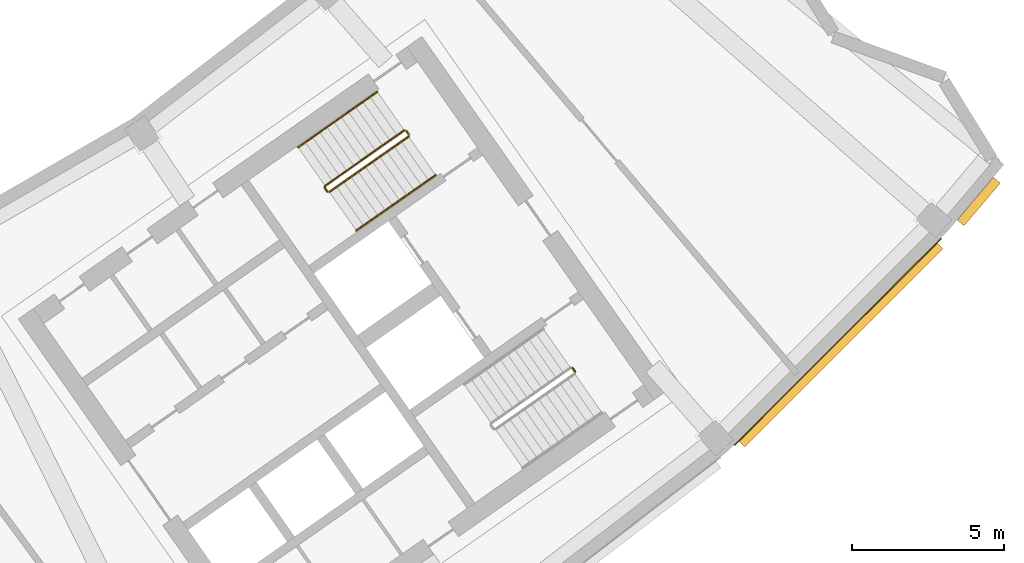
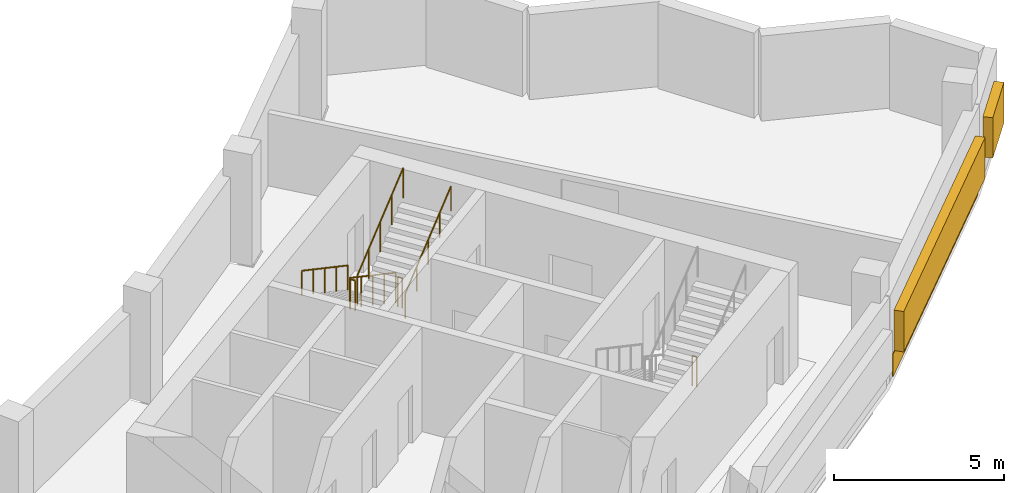
# One storey, part 12 of 12: 6 railings, 2 shading devices, 1 covering.
"""IFC4 building model written with IfcOpenShell, lengths in metres."""

import ifcopenshell
import ifcopenshell.guid

model = None  # the IFC model being written
_history = None  # IfcOwnerHistory: only IFC2X3 demands one
_inside = {}  # id of a spatial element -> (the spatial element, [elements in it])
_under = {}  # id of a project, library or spatial element -> (it, [spatial elements below it])
_declared = {}  # id of a project -> (the project, [libraries it declares])
_typed = {}  # id of a type object -> (the type object, [elements of that type])
_made_of = {}  # id of a material, layer set ... -> (it, [elements and type objects made of it])


def new_model(schema):
    """Start an empty IFC model of exactly this schema.

    Asked for "IFC4X3", IfcOpenShell would pick the latest addendum, in which some entities
    have other attributes; the version numbers below select the first issue.
    IFC2X3 requires an IfcOwnerHistory on every rooted entity: one is made here for all.
    """
    global model, _history
    if schema == "IFC4X3":
        model = ifcopenshell.file(schema_version=(4, 3, 0, 0))
    else:
        model = ifcopenshell.file(schema=schema)
    _inside.clear()
    _under.clear()
    _declared.clear()
    _typed.clear()
    _made_of.clear()
    _history = None
    if model.schema == "IFC2X3":
        org = make("IfcOrganization", Name="unknown")
        user = make(
            "IfcPersonAndOrganization",
            ThePerson=make("IfcPerson", FamilyName="unknown"),
            TheOrganization=org,
        )
        app = make(
            "IfcApplication",
            ApplicationDeveloper=org,
            Version="unknown",
            ApplicationFullName="unknown",
            ApplicationIdentifier="unknown",
        )
        _history = make(
            "IfcOwnerHistory",
            OwningUser=user,
            OwningApplication=app,
            ChangeAction="ADDED",
            CreationDate=0,
        )
    return model


def make(cls, **values):
    """One entity of the class cls with the attributes given. An attribute that is None is left unset."""
    return model.create_entity(
        cls, **{name: value for name, value in values.items() if value is not None}
    )


def rooted(cls, **values):
    """An entity with a GlobalId (a new one), such as an element, a storey or a relation."""
    return make(cls, GlobalId=ifcopenshell.guid.new(), OwnerHistory=_history, **values)


def si_unit(unit_type, name, prefix=None):
    """IfcSIUnit, for example si_unit("LENGTHUNIT", "METRE", prefix="MILLI")."""
    return make("IfcSIUnit", UnitType=unit_type, Prefix=prefix, Name=name)


def assignment(units):
    """IfcUnitAssignment: the units of a project."""
    return None if units is None else make("IfcUnitAssignment", Units=units)


def point(xyz):
    """IfcCartesianPoint."""
    return None if xyz is None else make("IfcCartesianPoint", Coordinates=xyz)


def direction(xyz):
    """IfcDirection."""
    return None if xyz is None else make("IfcDirection", DirectionRatios=xyz)


def frame(location, z_axis=None, x_axis=None):
    """IfcAxis2Placement3D, a coordinate frame: its origin and axes. An axis left out is left unset."""
    return make(
        "IfcAxis2Placement3D",
        Location=point(location),
        Axis=direction(z_axis),
        RefDirection=direction(x_axis),
    )


def frame_2d(location, x_axis=None):
    """IfcAxis2Placement2D, a coordinate frame in the plane: its origin and x axis."""
    return make(
        "IfcAxis2Placement2D", Location=point(location), RefDirection=direction(x_axis)
    )


def origin():
    """The frame at (0, 0, 0) with its axes left unset."""
    return frame((0.0, 0.0, 0.0))


def origin_2d():
    """The frame at (0, 0) in the plane with its x axis left unset."""
    return frame_2d((0.0, 0.0))


def place(relative_to, where):
    """IfcLocalPlacement: puts the frame where relative to a parent placement (None: the world)."""
    return make(
        "IfcLocalPlacement", PlacementRelTo=relative_to, RelativePlacement=where
    )


def context(
    kind, dimensions, precision=None, world=None, true_north=None, identifier=None
):
    """IfcGeometricRepresentationContext, for example the 3D "Model" context."""
    return make(
        "IfcGeometricRepresentationContext",
        ContextIdentifier=identifier,
        ContextType=kind,
        CoordinateSpaceDimension=dimensions,
        Precision=precision,
        WorldCoordinateSystem=world,
        TrueNorth=true_north,
    )


def subcontext(parent, identifier, kind, view, scale=None):
    """IfcGeometricRepresentationSubContext, for example "Body" below "Model"."""
    return make(
        "IfcGeometricRepresentationSubContext",
        ContextIdentifier=identifier,
        ContextType=kind,
        ParentContext=parent,
        TargetScale=scale,
        TargetView=view,
    )


def project(units=None, contexts=None):
    """IfcProject with its units and contexts."""
    return rooted(
        "IfcProject",
        Name="project",
        RepresentationContexts=contexts,
        UnitsInContext=assignment(units),
    )


def spatial(cls, under=None, at=None, **own):
    """A site, building, storey or space (cls), placed at a placement, below another one or the project."""
    s = rooted(cls, ObjectPlacement=at, **own)
    if under is not None:
        _under.setdefault(under.id(), (under, []))[1].append(s)
    return s


def profile(cls, at=None, kind="AREA", **sizes):
    """A parametric profile (cls). Its sizes go by their IFC names, for example OverallWidth=200.0."""
    return make(cls, ProfileType=kind, Position=at, **sizes)


def rectangle(**sizes):
    """IfcRectangleProfileDef."""
    return profile("IfcRectangleProfileDef", **sizes)


def circle(**sizes):
    """IfcCircleProfileDef."""
    return profile("IfcCircleProfileDef", **sizes)


def extrude(swept, where, along, depth):
    """IfcExtrudedAreaSolid: the profile swept, set in the frame where, extruded along a direction by depth."""
    return make(
        "IfcExtrudedAreaSolid",
        SweptArea=swept,
        Position=where,
        ExtrudedDirection=direction(along),
        Depth=depth,
    )


def shape(context_of_items, identifier, shape_type, items):
    """IfcShapeRepresentation: the items that make up one representation, for example the "Body"."""
    return make(
        "IfcShapeRepresentation",
        ContextOfItems=context_of_items,
        RepresentationIdentifier=identifier,
        RepresentationType=shape_type,
        Items=items,
    )


def material(Name=None, Category=None):
    """IfcMaterial."""
    return make("IfcMaterial", Name=Name, Category=Category)


def layer(
    of_material, thickness, ventilated=None, Name=None, Category=None, Priority=None
):
    """IfcMaterialLayer: one layer of a wall or slab, of a material (None: an air gap)."""
    return make(
        "IfcMaterialLayer",
        Material=of_material,
        LayerThickness=thickness,
        IsVentilated=ventilated,
        Name=Name,
        Category=Category,
        Priority=Priority,
    )


def layer_set(layers, Name=None):
    """IfcMaterialLayerSet."""
    return make("IfcMaterialLayerSet", MaterialLayers=layers, LayerSetName=Name)


def made_of(thing, what):
    """Note that an element or type object is made of a material, layer set ...; save() writes the relation."""
    if what is not None:
        _made_of.setdefault(what.id(), (what, []))[1].append(thing)
    return thing


def type_object(cls, material=None, **own):
    """A type object (cls), such as IfcWallType, which elements share."""
    return made_of(rooted(cls, **own), material)


def element(
    cls,
    number,
    at=None,
    inside=None,
    cuts=None,
    type_object=None,
    material=None,
    context=None,
    identifier="Body",
    shape_type=None,
    held_by="IfcProductDefinitionShape",
    body=None,
    shapes=None,
    **own,
):
    """One element of the class cls, such as IfcWall. Its Tag is "e" and its number.

    at: its placement. inside: the storey or other place that contains it. cuts: it is an
    opening in that element (IfcRelVoidsElement). A single representation is given by context,
    identifier, shape_type and body (its items); several are given by shapes. held_by: the class
    of the entity that holds the representations. save() writes the other relations.
    """
    e = rooted(cls, Tag="e%d" % number, ObjectPlacement=at, **own)
    if body is not None:
        shapes = [shape(context, identifier, shape_type, body)]
    if shapes is not None:
        e.Representation = make(held_by, Representations=shapes)
    if inside is not None:
        _inside.setdefault(inside.id(), (inside, []))[1].append(e)
    if cuts is not None:
        rooted(
            "IfcRelVoidsElement", RelatingBuildingElement=cuts, RelatedOpeningElement=e
        )
    if type_object is not None:
        _typed.setdefault(type_object.id(), (type_object, []))[1].append(e)
    return made_of(e, material)


def aggregate(whole, parts):
    """IfcRelAggregates: a whole, such as a stair, and the parts it consists of."""
    return rooted("IfcRelAggregates", RelatingObject=whole, RelatedObjects=parts)


def save(model, path):
    """Write the relations noted so far, then the file.

    IfcRelAggregates (storeys below a building ...), IfcRelContainedInSpatialStructure (elements
    in a storey), IfcRelDefinesByType, IfcRelAssociatesMaterial and IfcRelDeclares: one each for
    every whole, place, type object, material and project.
    """
    for whole, parts in _under.values():
        aggregate(whole, parts)
    for where, things in _inside.values():
        rooted(
            "IfcRelContainedInSpatialStructure",
            RelatedElements=things,
            RelatingStructure=where,
        )
    for kind, things in _typed.values():
        rooted("IfcRelDefinesByType", RelatedObjects=things, RelatingType=kind)
    for what, things in _made_of.values():
        rooted("IfcRelAssociatesMaterial", RelatedObjects=things, RelatingMaterial=what)
    for by, libraries in _declared.values():
        rooted("IfcRelDeclares", RelatingContext=by, RelatedDefinitions=libraries)
    model.write(path)


model = new_model("IFC4")

# Units and contexts
model_context = context("Model", 3, precision=1e-05, world=origin(), true_north=direction((0.0, 1.0)))
body_context = subcontext(model_context, "Body", "Model", "MODEL_VIEW")
ifc_project = project(units=[si_unit("LENGTHUNIT", "METRE"), si_unit("AREAUNIT", "SQUARE_METRE"), si_unit("VOLUMEUNIT", "CUBIC_METRE"), si_unit("PLANEANGLEUNIT", "RADIAN"), si_unit("MASSUNIT", "GRAM", prefix="KILO")], contexts=[model_context])

# Site, building, storey
site_placement = place(None, origin())
site = spatial("IfcSite", under=ifc_project, at=site_placement, CompositionType="ELEMENT")
building_placement = place(site_placement, origin())
building = spatial("IfcBuilding", under=site, at=building_placement, Name="Qamariyya Broadcast Tower", CompositionType="ELEMENT")
storey_placement = place(building_placement, frame((0.0, 0.0, 290.699951171875)))
storey = spatial("IfcBuildingStorey", under=building, at=storey_placement, Name="L70", CompositionType="ELEMENT", Elevation=290.699951171875)

# Railings
ifc_material_1 = material(Name="Painted steel", Category="steel")
railing_type_1 = type_object("IfcRailingType", Name="Stair guard", PredefinedType="GUARDRAIL", material=ifc_material_1)
railing_1_placement = place(storey_placement, frame((41.003173828125, -48.320068359375, 0.166748046875)))
element("IfcRailing", 1, at=railing_1_placement, inside=storey, type_object=railing_type_1, Name="L70 ST-E2 stair guard 1", PredefinedType="GUARDRAIL", context=body_context, shape_type="SweptSolid", body=[
    extrude(circle(Radius=0.02392578125, at=origin_2d()), frame((0.0, 0.0, 1.076171875), z_axis=(-0.710204256923, -0.497335411159, 0.498264389913), x_axis=(0.573611290809, -0.819127637829, 0.0)), (0.0, 0.0, 1.0), 3.67919921875),
    extrude(circle(Radius=0.02392578125, at=origin_2d()), frame((-2.613037109375, -1.829833984375, 2.9091796875), z_axis=(-0.172799478008, -0.984957024646, 0.0), x_axis=(0.984957024646, -0.172799478008, 0.0)), (0.0, 0.0, 1.0), 0.070556640625),
    extrude(circle(Radius=0.02392578125, at=origin_2d()), frame((-2.625244140625, -1.8994140625, 2.9091796875), z_axis=(0.573353020881, -0.819308436089, 0.0), x_axis=(0.819308436089, 0.573353020881, 0.0)), (0.0, 0.0, 1.0), 0.14990234375),
    extrude(circle(Radius=0.02099609375, at=origin_2d()), origin(), (0.0, 0.0, 1.0), 1.052001953125),
    extrude(circle(Radius=0.02099609375, at=origin_2d()), frame((-0.6533203125, -0.45751953125, 0.458251953125)), (0.0, 0.0, 1.0), 1.052001953125),
    extrude(circle(Radius=0.02099609375, at=origin_2d()), frame((-1.306640625, -0.9150390625, 0.91650390625)), (0.0, 0.0, 1.0), 1.052001953125),
    extrude(circle(Radius=0.02099609375, at=origin_2d()), frame((-1.959716796875, -1.372314453125, 1.375)), (0.0, 0.0, 1.0), 1.052001953125),
    extrude(circle(Radius=0.02099609375, at=origin_2d()), frame((-2.613037109375, -1.829833984375, 1.833251953125)), (0.0, 0.0, 1.0), 1.052001953125),
    extrude(circle(Radius=0.02099609375, at=origin_2d()), frame((-2.625244140625, -1.8994140625, 1.833251953125)), (0.0, 0.0, 1.0), 1.052001953125),
    extrude(circle(Radius=0.02099609375, at=origin_2d()), frame((-2.539306640625, -2.022216796875, 1.833251953125)), (0.0, 0.0, 1.0), 1.052001953125),
])
railing_2_placement = place(storey_placement, frame((38.53369140625, -50.3544921875, 2.166748046875)))
element("IfcRailing", 2, at=railing_2_placement, inside=storey, type_object=railing_type_1, Name="L70 ST-E2 stair guard 2", PredefinedType="GUARDRAIL", context=body_context, shape_type="SweptSolid", body=[
    extrude(circle(Radius=0.02392578125, at=origin_2d()), frame((0.0, 0.0, 1.076171875), z_axis=(0.710227693972, 0.497285465629, 0.498280832854), x_axis=(-0.573559936391, 0.819163597438, 0.0)), (0.0, 0.0, 1.0), 3.67919921875),
    extrude(circle(Radius=0.02099609375, at=origin_2d()), origin(), (0.0, 0.0, 1.0), 1.052001953125),
    extrude(circle(Radius=0.02099609375, at=origin_2d()), frame((0.6533203125, 0.45751953125, 0.458251953125)), (0.0, 0.0, 1.0), 1.052001953125),
    extrude(circle(Radius=0.02099609375, at=origin_2d()), frame((1.306640625, 0.914794921875, 0.91650390625)), (0.0, 0.0, 1.0), 1.052001953125),
    extrude(circle(Radius=0.02099609375, at=origin_2d()), frame((1.959716796875, 1.3720703125, 1.375)), (0.0, 0.0, 1.0), 1.052001953125),
    extrude(circle(Radius=0.02099609375, at=origin_2d()), frame((2.613037109375, 1.82958984375, 1.833251953125)), (0.0, 0.0, 1.0), 1.052001953125),
])
railing_3_placement = place(storey_placement, frame((41.072998046875, -48.332275390625, 0.0)))
element("IfcRailing", 3, at=railing_3_placement, inside=storey, type_object=railing_type_1, Name="L70 ST-E2 stair guard 3", PredefinedType="GUARDRAIL", context=body_context, shape_type="SweptSolid", body=[
    extrude(circle(Radius=0.02392578125, at=origin_2d()), frame((0.0, 0.0, 1.076171875), z_axis=(0.572588637393, -0.819842821722, 0.0), x_axis=(0.819842821722, 0.572588637393, 0.0)), (0.0, 0.0, 1.0), 0.150146484375),
    extrude(circle(Radius=0.02099609375, at=origin_2d()), origin(), (0.0, 0.0, 1.0), 1.052001953125),
    extrude(circle(Radius=0.02099609375, at=origin_2d()), frame((0.0859375, -0.123046875, 0.0)), (0.0, 0.0, 1.0), 1.052001953125),
])
railing_4_placement = place(storey_placement, frame((46.550537109375, -56.1552734375, 0.0)))
element("IfcRailing", 4, at=railing_4_placement, inside=storey, type_object=railing_type_1, Name="L70 ST-E1 stair guard 3", PredefinedType="GUARDRAIL", context=body_context, shape_type="SweptSolid", body=[
    extrude(circle(Radius=0.02392578125, at=origin_2d()), frame((0.0, 0.0, 1.076171875), z_axis=(0.574444878118, -0.818543268254, 0.0), x_axis=(0.818543268254, 0.574444878118, 0.0)), (0.0, 0.0, 1.0), 0.150146484375),
    extrude(circle(Radius=0.02099609375, at=origin_2d()), origin(), (0.0, 0.0, 1.0), 1.052001953125),
    extrude(circle(Radius=0.02099609375, at=origin_2d()), frame((0.086181640625, -0.122802734375, 0.0)), (0.0, 0.0, 1.0), 1.052001953125),
])
ifc_material_2 = material(Name="Stainless steel", Category="steel")
railing_type_2 = type_object("IfcRailingType", Name="Stair handrail", PredefinedType="HANDRAIL", material=ifc_material_2)
railing_5_placement = place(storey_placement, frame((40.1142578125, -47.05029296875, 0.166748046875)))
element("IfcRailing", 5, at=railing_5_placement, inside=storey, type_object=railing_type_2, Name="L70 ST-E2 stair handrail 1", PredefinedType="HANDRAIL", context=body_context, shape_type="SweptSolid", body=[
    extrude(circle(Radius=0.02392578125, at=origin_2d()), frame((0.0, 0.0, 0.8759765625), z_axis=(-0.710204256923, -0.497335411159, 0.498264389913), x_axis=(0.573611290809, -0.819127637829, 0.0)), (0.0, 0.0, 1.0), 3.67919921875),
    extrude(circle(Radius=0.02099609375, at=origin_2d()), origin(), (0.0, 0.0, 1.0), 0.851806640625),
    extrude(circle(Radius=0.02099609375, at=origin_2d()), frame((-0.6533203125, -0.45751953125, 0.458251953125)), (0.0, 0.0, 1.0), 0.851806640625),
    extrude(circle(Radius=0.02099609375, at=origin_2d()), frame((-1.306640625, -0.9150390625, 0.91650390625)), (0.0, 0.0, 1.0), 0.851806640625),
    extrude(circle(Radius=0.02099609375, at=origin_2d()), frame((-1.959716796875, -1.372314453125, 1.375)), (0.0, 0.0, 1.0), 0.851806640625),
    extrude(circle(Radius=0.02099609375, at=origin_2d()), frame((-2.613037109375, -1.829833984375, 1.833251953125)), (0.0, 0.0, 1.0), 0.851806640625),
])
railing_6_placement = place(storey_placement, frame((39.422607421875, -51.624267578125, 2.166748046875)))
element("IfcRailing", 6, at=railing_6_placement, inside=storey, type_object=railing_type_2, Name="L70 ST-E2 stair handrail 2", PredefinedType="HANDRAIL", context=body_context, shape_type="SweptSolid", body=[
    extrude(circle(Radius=0.02392578125, at=origin_2d()), frame((0.0, 0.0, 0.8759765625), z_axis=(0.710204256923, 0.497335411159, 0.498264389913), x_axis=(-0.573611290809, 0.819127637829, 0.0)), (0.0, 0.0, 1.0), 3.67919921875),
    extrude(circle(Radius=0.02099609375, at=origin_2d()), origin(), (0.0, 0.0, 1.0), 0.851806640625),
    extrude(circle(Radius=0.02099609375, at=origin_2d()), frame((0.6533203125, 0.45751953125, 0.458251953125)), (0.0, 0.0, 1.0), 0.851806640625),
    extrude(circle(Radius=0.02099609375, at=origin_2d()), frame((1.306640625, 0.9150390625, 0.91650390625)), (0.0, 0.0, 1.0), 0.851806640625),
    extrude(circle(Radius=0.02099609375, at=origin_2d()), frame((1.959716796875, 1.372314453125, 1.375)), (0.0, 0.0, 1.0), 0.851806640625),
    extrude(circle(Radius=0.02099609375, at=origin_2d()), frame((2.613037109375, 1.829833984375, 1.833251953125)), (0.0, 0.0, 1.0), 0.851806640625),
])

# Covering
ifc_material_3 = material(Name="Glazed terracotta", Category="masonry")
ifc_layer = layer(ifc_material_3, 0.030029296875)
ifc_layer_set = layer_set([ifc_layer], Name="Terracotta cladding panel 30, crown band")
covering_type = type_object("IfcCoveringType", Name="Terracotta cladding panel 30, crown band", PredefinedType="CLADDING", material=ifc_layer_set)
covering_placement = place(storey_placement, frame((55.293701171875, -55.293701171875, 0.0), z_axis=(0.0, 0.0, 1.0), x_axis=(0.707106781187, 0.707106781187, 0.0)))
element("IfcCovering", 7, at=covering_placement, inside=storey, type_object=covering_type, Name="e-cl-L70-13", PredefinedType="CLADDING", context=body_context, shape_type="SweptSolid", body=[
    extrude(rectangle(XDim=9.648681640625, YDim=0.030029296875, at=origin_2d()), origin(), (0.0, 0.0, 1.0), 0.800048828125),
])

# Shading devices
shading_device_type = type_object("IfcShadingDeviceType", Name="Terracotta louvre bank", PredefinedType="USERDEFINED", material=ifc_material_3)
shading_device_1_placement = place(storey_placement, frame((55.38916015625, -55.38916015625, 0.80029296875), z_axis=(0.0, 0.0, 1.0), x_axis=(0.707106781187, 0.707106781187, 0.0)))
element("IfcShadingDevice", 8, at=shading_device_1_placement, inside=storey, type_object=shading_device_type, Name="e-lv-L70-13", ObjectType="LOUVRE", PredefinedType="USERDEFINED", context=body_context, shape_type="SweptSolid", body=[
    extrude(rectangle(XDim=9.248779296875, YDim=0.300048828125, at=origin_2d()), origin(), (0.0, 0.0, 1.0), 1.449951171875),
])
shading_device_2_placement = place(storey_placement, frame((59.94140625, -50.66796875, 0.80029296875), z_axis=(0.0, 0.0, 1.0), x_axis=(0.645559567332, 0.763709922042, 0.0)))
element("IfcShadingDevice", 9, at=shading_device_2_placement, inside=storey, type_object=shading_device_type, Name="e-lv-L70-14", ObjectType="LOUVRE", PredefinedType="USERDEFINED", context=body_context, shape_type="SweptSolid", body=[
    extrude(rectangle(XDim=1.8505859375, YDim=0.300048828125, at=origin_2d()), origin(), (0.0, 0.0, 1.0), 1.449951171875),
])

save(model, "model.ifc")
